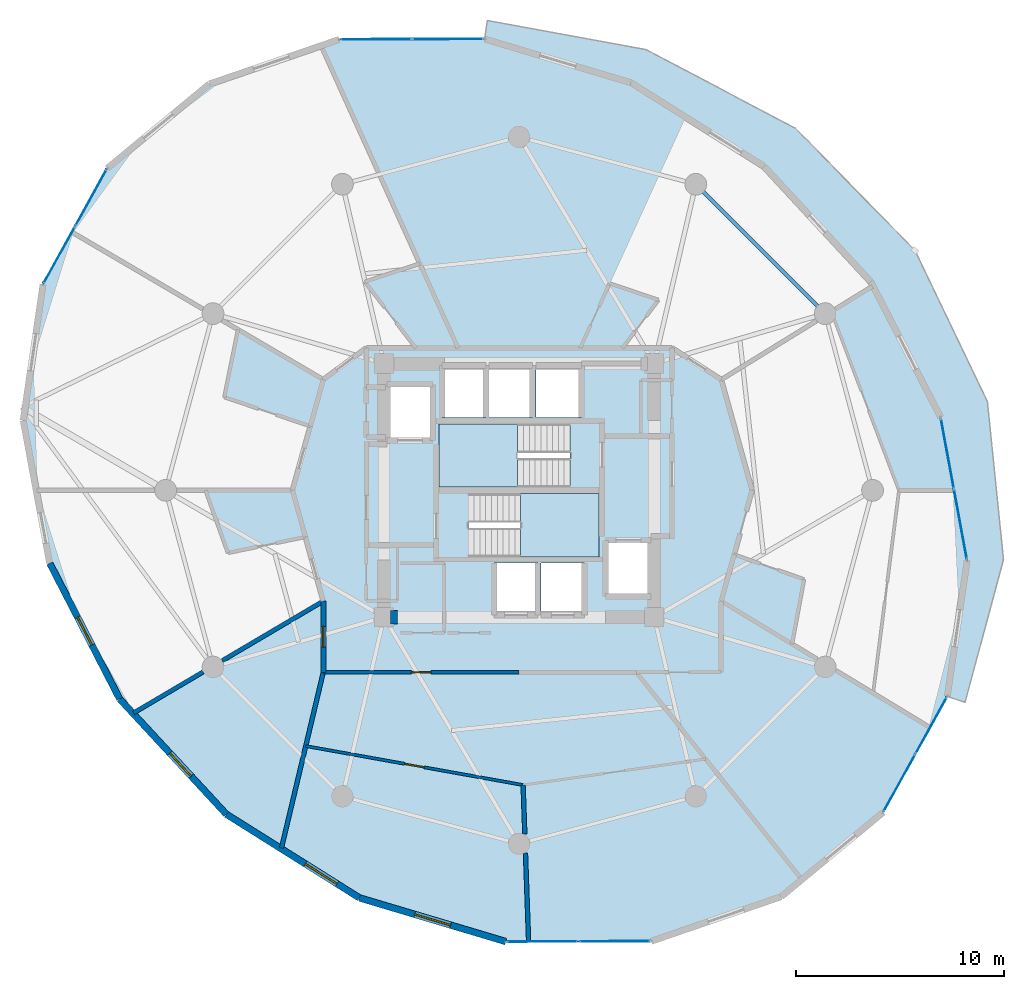
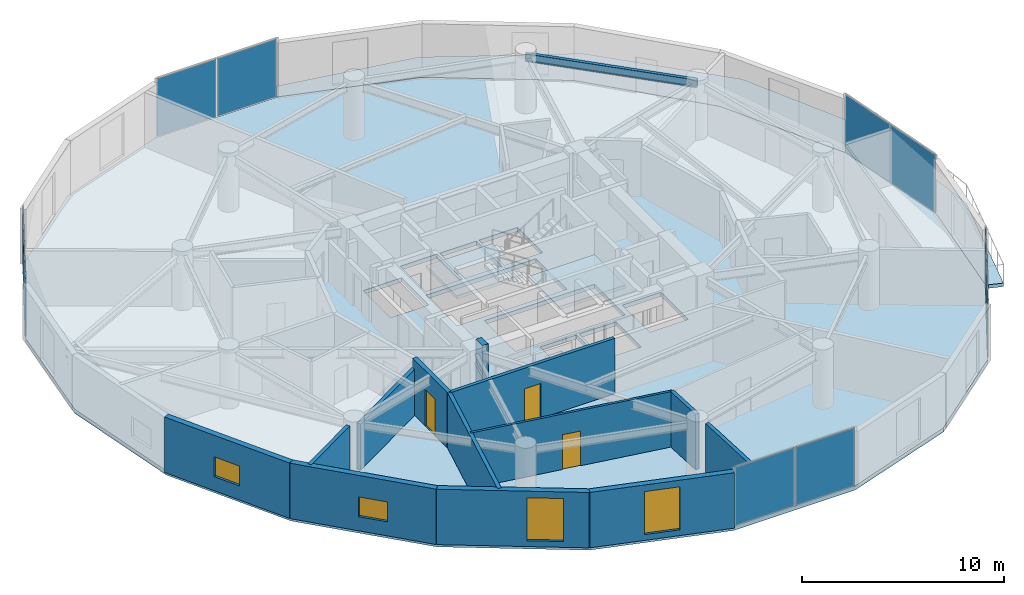
# One storey, part 15 of 21: 13 walls, 10 plates, 4 slabs, 4 windows, 3 doors, 1 beam, 7 openings, 7 elements without a shape of their own.
"""IFC4 building model written with IfcOpenShell, lengths in metres."""

from ifc_helpers import new_model, si_unit, direction, frame, frame_2d, origin, origin_2d, place, context, subcontext, project, spatial, polyline, rectangle, i_section, outline, extrude, source, transform, mapped, material, layer, layer_set, material_profile, profile_set, type_object, element, fill, aggregate, save


model = new_model("IFC4")

# Units and contexts
model_context = context("Model", 3, precision=1e-05, world=origin(), true_north=direction((0.0, 1.0)))
body_context = subcontext(model_context, "Body", "Model", "MODEL_VIEW")
ifc_project = project(units=[si_unit("LENGTHUNIT", "METRE"), si_unit("AREAUNIT", "SQUARE_METRE"), si_unit("VOLUMEUNIT", "CUBIC_METRE"), si_unit("PLANEANGLEUNIT", "RADIAN"), si_unit("MASSUNIT", "GRAM", prefix="KILO")], contexts=[model_context])

# Site, building, storey
site_placement = place(None, origin())
site = spatial("IfcSite", under=ifc_project, at=site_placement, CompositionType="ELEMENT")
building_placement = place(site_placement, origin())
building = spatial("IfcBuilding", under=site, at=building_placement, Name="Solvirekh Grand Hotel", CompositionType="ELEMENT")
storey_placement = place(building_placement, frame((0.0, 0.0, 131.39990234375)))
storey = spatial("IfcBuildingStorey", under=building, at=storey_placement, Name="L33", CompositionType="ELEMENT", Elevation=131.39990234375)

# Beam
ifc_material_1 = material(Name="Steel S355", Category="steel")
ifc_material_profile = material_profile(ifc_material_1, i_section(OverallWidth=0.18994140625, OverallDepth=0.45703125, WebThickness=0.009033203125, FlangeThickness=0.013916015625, FilletRadius=0.012939453125, at=origin_2d()), Name="W460X74")
ifc_profile_set = profile_set([ifc_material_profile], Name="Steel S355")
beam_type = type_object("IfcBeamType", Name="Spandrel_Ring_W460", PredefinedType="SPANDREL", material=ifc_profile_set)
beam_placement = place(storey_placement, frame((14.721923828125, 8.5, 3.1220703125), z_axis=(-0.707106781187, 0.707106781187, 0.0), x_axis=(-0.707106781187, -0.707106781187, 0.0)))
element("IfcBeam", 1, at=beam_placement, inside=storey, type_object=beam_type, Name="L33 perimeter spandrel beam 2", PredefinedType="SPANDREL", context=body_context, shape_type="SweptSolid", body=[
    extrude(i_section(OverallWidth=0.18994140625, OverallDepth=0.45703125, WebThickness=0.009033203125, FlangeThickness=0.013916015625, FilletRadius=0.012939453125, at=origin_2d()), origin(), (0.0, 0.0, 1.0), 8.799072265625),
])

# Slab
ifc_material_2 = material(Name="Concrete C50/60", Category="concrete")
ifc_layer_1 = layer(ifc_material_2, 0.215087890625)
ifc_layer_set_1 = layer_set([ifc_layer_1], Name="Concrete C50/60")
slab_type_1 = type_object("IfcSlabType", Name="ExtCrescentBalc_215", PredefinedType="FLOOR", material=ifc_layer_set_1)
slab_1_placement = place(storey_placement, frame((0.0, 0.0, -0.21484375)))
element("IfcSlab", 2, at=slab_1_placement, inside=storey, type_object=slab_type_1, Name="L33 sweeping crescent balcony slab", PredefinedType="FLOOR", context=body_context, shape_type="SweptSolid", body=[
    extrude(outline(polyline([(21.448974609375, -10.194091796875), (23.298095703125, -3.324951171875), (22.52197265625, 4.282958984375), (19.0400390625, 11.533935546875), (13.2939453125, 17.410888671875), (6.10498046875, 21.198974609375), (-1.528076171875, 22.60009765625), (-1.659912109375, 21.708984375), (5.37890625, 19.60693359375), (11.780029296875, 15.5849609375), (16.9140625, 10.037109375), (20.280029296875, 3.507080078125), (21.549072265625, -3.365966796875), (20.594970703125, -9.909912109375), (21.448974609375, -10.194091796875)])), origin(), (0.0, 0.0, 1.0), 0.21484375),
])

# Stair, slab
ifc_material_3 = material(Name="Concrete C40/50", Category="concrete")
stair_type = type_object("IfcStairType", Name="Stair_Core_1450", PredefinedType="HALF_TURN_STAIR", material=ifc_material_3)
stair_1_placement = place(storey_placement, origin())
stair_1 = element("IfcStair", 3, at=stair_1_placement, inside=storey, type_object=stair_type, Name="L33 Enclosed exit stair ST-1", PredefinedType="HALF_TURN_STAIR")
ifc_layer_2 = layer(ifc_material_3, 0.199951171875)
ifc_layer_set_2 = layer_set([ifc_layer_2], Name="Concrete C40/50")
slab_type_2 = type_object("IfcSlabType", Name="Landing_Stair_200", PredefinedType="LANDING", material=ifc_layer_set_2)
slab_2_placement = place(storey_placement, frame((0.0, 0.0, 1.60009765625)))
slab_2 = element("IfcSlab", 4, at=slab_2_placement, type_object=slab_type_2, Name="ST-1 landing 1", PredefinedType="LANDING", context=body_context, shape_type="SweptSolid", body=[
    extrude(outline(polyline([(0.070068359375, -3.199951171875), (3.85009765625, -3.199951171875), (3.85009765625, -0.14990234375), (0.070068359375, -0.14990234375), (0.070068359375, -3.199951171875)])), origin(), (0.0, 0.0, 1.0), 0.199951171875),
])
aggregate(stair_1, [slab_2])

stair_2_placement = place(storey_placement, origin())
stair_2 = element("IfcStair", 5, at=stair_2_placement, inside=storey, type_object=stair_type, Name="L33 Enclosed exit stair ST-2", PredefinedType="HALF_TURN_STAIR")
slab_3_placement = place(storey_placement, frame((0.0, 0.0, 1.60009765625)))
slab_3 = element("IfcSlab", 6, at=slab_3_placement, type_object=slab_type_2, Name="ST-2 landing 1", PredefinedType="LANDING", context=body_context, shape_type="SweptSolid", body=[
    extrude(outline(polyline([(-0.070068359375, 3.199951171875), (-3.85009765625, 3.199951171875), (-3.85009765625, 0.14990234375), (-0.070068359375, 0.14990234375), (-0.070068359375, 3.199951171875)])), origin(), (0.0, 0.0, 1.0), 0.199951171875),
])
aggregate(stair_2, [slab_3])

# Slab
ifc_layer_3 = layer(ifc_material_2, 0.25)
ifc_layer_set_3 = layer_set([ifc_layer_3], Name="Concrete C50/60")
slab_type_3 = type_object("IfcSlabType", Name="Slab_GuestZ2_250", PredefinedType="FLOOR", material=ifc_layer_set_3)
slab_4_placement = place(storey_placement, frame((0.0, 0.0, -0.25)))
element("IfcSlab", 7, at=slab_4_placement, inside=storey, type_object=slab_type_3, Name="L33 structural floor slab", PredefinedType="FLOOR", context=body_context, shape_type="SweptSolid", body=[
    extrude(outline(polyline([(17.512939453125, -15.48388671875), (20.594970703125, -9.909912109375), (21.549072265625, -3.365966796875), (20.280029296875, 3.507080078125), (16.9140625, 10.037109375), (11.780029296875, 15.5849609375), (5.37890625, 19.60693359375), (-1.659912109375, 21.708984375), (-8.64892578125, 21.68701171875), (-14.904052734375, 19.5419921875), (-19.81298828125, 15.48388671875), (-22.89501953125, 9.909912109375), (-23.84912109375, 3.365966796875), (-22.580078125, -3.507080078125), (-19.214111328125, -10.037109375), (-14.080078125, -15.5849609375), (-7.678955078125, -19.60693359375), (-0.639892578125, -21.708984375), (6.34912109375, -21.68701171875), (12.60400390625, -19.5419921875), (17.512939453125, -15.48388671875)]), holes=[polyline([(-2.444091796875, -0.14990234375), (3.85009765625, -0.14990234375), (3.85009765625, -3.199951171875), (-2.444091796875, -3.199951171875), (-2.444091796875, -0.14990234375)]), polyline([(2.444091796875, 0.14990234375), (-3.85009765625, 0.14990234375), (-3.85009765625, 3.199951171875), (2.444091796875, 3.199951171875), (2.444091796875, 0.14990234375)]), polyline([(-1.199951171875, -3.5), (0.89990234375, -3.5), (0.89990234375, -6.0), (-1.199951171875, -6.0), (-1.199951171875, -3.5)]), polyline([(1.050048828125, -3.5), (3.14990234375, -3.5), (3.14990234375, -6.0), (1.050048828125, -6.0), (1.050048828125, -3.5)]), polyline([(-3.699951171875, 6.0), (-1.60009765625, 6.0), (-1.60009765625, 3.5), (-3.699951171875, 3.5), (-3.699951171875, 6.0)]), polyline([(-1.449951171875, 6.0), (0.64990234375, 6.0), (0.64990234375, 3.5), (-1.449951171875, 3.5), (-1.449951171875, 6.0)]), polyline([(0.800048828125, 6.0), (3.0, 6.0), (3.0, 3.5), (0.800048828125, 3.5), (0.800048828125, 6.0)]), polyline([(-6.35009765625, 5.10009765625), (-4.14990234375, 5.10009765625), (-4.14990234375, 2.39990234375), (-6.35009765625, 2.39990234375), (-6.35009765625, 5.10009765625)]), polyline([(4.14990234375, -2.39990234375), (6.35009765625, -2.39990234375), (6.35009765625, -5.10009765625), (4.14990234375, -5.10009765625), (4.14990234375, -2.39990234375)])]), origin(), (0.0, 0.0, 1.0), 0.25),
])

# Curtain wall, plates
ifc_material_4 = material(Name="Anodized Bronze Aluminium 6063-T6", Category="aluminium")
ifc_layer_4 = layer(ifc_material_4, 0.175048828125)
ifc_layer_set_4 = layer_set([ifc_layer_4], Name="Anodized Bronze Aluminium 6063-T6")
curtain_wall_type = type_object("IfcCurtainWallType", Name="CW_Sys3_MidZoneFlushBronzeCW", PredefinedType="NOTDEFINED", material=ifc_layer_set_4)
curtain_wall_1_placement = place(storey_placement, origin())
curtain_wall_1 = element("IfcCurtainWall", 8, at=curtain_wall_1_placement, inside=storey, type_object=curtain_wall_type, Name="L33 unitised bronze-glass curtain wall CW-L33-C01", PredefinedType="NOTDEFINED")
ifc_material_5 = material(Name="Low-E Tinted Bronze Laminated Glass", Category="aluminium")
ifc_layer_5 = layer(ifc_material_5, 0.035888671875)
ifc_layer_set_5 = layer_set([ifc_layer_5], Name="Low-E Tinted Bronze Laminated Glass")
plate_type = type_object("IfcPlateType", Name="CWPanel_Mid_36", PredefinedType="CURTAIN_PANEL", material=ifc_layer_set_5)
shared_shape_1 = source(origin(), body_context, "Body", "SweptSolid", [
    extrude(rectangle(XDim=3.087158203125, YDim=0.035888671875, at=origin_2d()), origin(), (0.0, 0.0, 1.0), 3.489990234375),
])
plate_1_placement = place(storey_placement, frame((18.291259765625, -14.076171875, 0.05517578125), z_axis=(0.0, 0.0, 1.0), x_axis=(0.48388233209, 0.875133069134, 0.0)))
plate_1 = element("IfcPlate", 9, at=plate_1_placement, type_object=plate_type, Name="U03 panel 1.1", PredefinedType="CURTAIN_PANEL", context=body_context, shape_type="MappedRepresentation", body=[
    mapped(shared_shape_1, transform((0.0, 0.0, 0.0), x_axis=(1.0, 0.0, 0.0), y_axis=(0.0, 1.0, 0.0), z_axis=(0.0, 0.0, 1.0), scale=1.0)),
])
plate_2_placement = place(storey_placement, frame((19.816650390625, -11.317626953125, 0.05517578125), z_axis=(0.0, 0.0, 1.0), x_axis=(0.48388233209, 0.875133069134, 0.0)))
plate_2 = element("IfcPlate", 10, at=plate_2_placement, type_object=plate_type, Name="U03 panel 2.1", PredefinedType="CURTAIN_PANEL", context=body_context, shape_type="MappedRepresentation", body=[
    mapped(shared_shape_1, transform((0.0, 0.0, 0.0), x_axis=(1.0, 0.0, 0.0), y_axis=(0.0, 1.0, 0.0), z_axis=(0.0, 0.0, 1.0), scale=1.0)),
])
aggregate(curtain_wall_1, [plate_1, plate_2])

curtain_wall_2_placement = place(storey_placement, origin())
curtain_wall_2 = element("IfcCurtainWall", 11, at=curtain_wall_2_placement, inside=storey, type_object=curtain_wall_type, Name="L33 unitised bronze-glass curtain wall CW-L33-C11", PredefinedType="NOTDEFINED")
plate_3_placement = place(storey_placement, frame((-20.59130859375, 14.076171875, 0.05517578125), z_axis=(0.0, 0.0, 1.0), x_axis=(-0.48388233209, -0.875133069134, 0.0)))
plate_3 = element("IfcPlate", 12, at=plate_3_placement, type_object=plate_type, Name="U03 panel 1.1", PredefinedType="CURTAIN_PANEL", context=body_context, shape_type="MappedRepresentation", body=[
    mapped(shared_shape_1, transform((0.0, 0.0, 0.0), x_axis=(1.0, 0.0, 0.0), y_axis=(0.0, 1.0, 0.0), z_axis=(0.0, 0.0, 1.0), scale=1.0)),
])
plate_4_placement = place(storey_placement, frame((-22.11669921875, 11.317626953125, 0.05517578125), z_axis=(0.0, 0.0, 1.0), x_axis=(-0.48388233209, -0.875133069134, 0.0)))
plate_4 = element("IfcPlate", 13, at=plate_4_placement, type_object=plate_type, Name="U03 panel 2.1", PredefinedType="CURTAIN_PANEL", context=body_context, shape_type="MappedRepresentation", body=[
    mapped(shared_shape_1, transform((0.0, 0.0, 0.0), x_axis=(1.0, 0.0, 0.0), y_axis=(0.0, 1.0, 0.0), z_axis=(0.0, 0.0, 1.0), scale=1.0)),
])
aggregate(curtain_wall_2, [plate_3, plate_4])

curtain_wall_3_placement = place(storey_placement, origin())
curtain_wall_3 = element("IfcCurtainWall", 14, at=curtain_wall_3_placement, inside=storey, type_object=curtain_wall_type, Name="L33 unitised bronze-glass curtain wall CW-L33-C03", PredefinedType="NOTDEFINED")
shared_shape_2 = source(origin(), body_context, "Body", "SweptSolid", [
    extrude(rectangle(XDim=3.39697265625, YDim=0.035888671875, at=origin_2d()), origin(), (0.0, 0.0, 1.0), 3.489990234375),
])
plate_5_placement = place(storey_placement, frame((21.228759765625, -1.6318359375, 0.05517578125), z_axis=(0.0, 0.0, 1.0), x_axis=(-0.181566637342, 0.983378643354, 0.0)))
plate_5 = element("IfcPlate", 15, at=plate_5_placement, type_object=plate_type, Name="U03 panel 1.1", PredefinedType="CURTAIN_PANEL", context=body_context, shape_type="MappedRepresentation", body=[
    mapped(shared_shape_2, transform((0.0, 0.0, 0.0), x_axis=(1.0, 0.0, 0.0), y_axis=(0.0, 1.0, 0.0), z_axis=(0.0, 0.0, 1.0), scale=1.0)),
])
plate_6_placement = place(storey_placement, frame((20.60009765625, 1.772705078125, 0.05517578125), z_axis=(0.0, 0.0, 1.0), x_axis=(-0.181566637342, 0.983378643354, 0.0)))
plate_6 = element("IfcPlate", 16, at=plate_6_placement, type_object=plate_type, Name="U03 panel 2.1", PredefinedType="CURTAIN_PANEL", context=body_context, shape_type="MappedRepresentation", body=[
    mapped(shared_shape_2, transform((0.0, 0.0, 0.0), x_axis=(1.0, 0.0, 0.0), y_axis=(0.0, 1.0, 0.0), z_axis=(0.0, 0.0, 1.0), scale=1.0)),
])
aggregate(curtain_wall_3, [plate_5, plate_6])

curtain_wall_4_placement = place(storey_placement, origin())
curtain_wall_4 = element("IfcCurtainWall", 17, at=curtain_wall_4_placement, inside=storey, type_object=curtain_wall_type, Name="L33 unitised bronze-glass curtain wall CW-L33-C08", PredefinedType="NOTDEFINED")
plate_7_placement = place(storey_placement, frame((-3.423583984375, 21.703369140625, 0.05517578125), z_axis=(0.0, 0.0, 1.0), x_axis=(-0.999995045703, -0.003147788104, 0.0)))
plate_7 = element("IfcPlate", 18, at=plate_7_placement, type_object=plate_type, Name="U03 panel 1.1", PredefinedType="CURTAIN_PANEL", context=body_context, shape_type="MappedRepresentation", body=[
    mapped(shared_shape_2, transform((0.0, 0.0, 0.0), x_axis=(1.0, 0.0, 0.0), y_axis=(0.0, 1.0, 0.0), z_axis=(0.0, 0.0, 1.0), scale=1.0)),
])
plate_8_placement = place(storey_placement, frame((-6.885498046875, 21.692626953125, 0.05517578125), z_axis=(0.0, 0.0, 1.0), x_axis=(-0.999995045703, -0.003147788104, 0.0)))
plate_8 = element("IfcPlate", 19, at=plate_8_placement, type_object=plate_type, Name="U03 panel 2.1", PredefinedType="CURTAIN_PANEL", context=body_context, shape_type="MappedRepresentation", body=[
    mapped(shared_shape_2, transform((0.0, 0.0, 0.0), x_axis=(1.0, 0.0, 0.0), y_axis=(0.0, 1.0, 0.0), z_axis=(0.0, 0.0, 1.0), scale=1.0)),
])
aggregate(curtain_wall_4, [plate_7, plate_8])

curtain_wall_5_placement = place(storey_placement, origin())
curtain_wall_5 = element("IfcCurtainWall", 20, at=curtain_wall_5_placement, inside=storey, type_object=curtain_wall_type, Name="L33 unitised bronze-glass curtain wall CW-L33-C18", PredefinedType="NOTDEFINED")
plate_9_placement = place(storey_placement, frame((1.12353515625, -21.703369140625, 0.05517578125), z_axis=(0.0, 0.0, 1.0), x_axis=(0.999995045703, 0.003147788104, 0.0)))
plate_9 = element("IfcPlate", 21, at=plate_9_placement, type_object=plate_type, Name="U03 panel 1.1", PredefinedType="CURTAIN_PANEL", context=body_context, shape_type="MappedRepresentation", body=[
    mapped(shared_shape_2, transform((0.0, 0.0, 0.0), x_axis=(1.0, 0.0, 0.0), y_axis=(0.0, 1.0, 0.0), z_axis=(0.0, 0.0, 1.0), scale=1.0)),
])
plate_10_placement = place(storey_placement, frame((4.58544921875, -21.692626953125, 0.05517578125), z_axis=(0.0, 0.0, 1.0), x_axis=(0.999995045703, 0.003147788104, 0.0)))
plate_10 = element("IfcPlate", 22, at=plate_10_placement, type_object=plate_type, Name="U03 panel 2.1", PredefinedType="CURTAIN_PANEL", context=body_context, shape_type="MappedRepresentation", body=[
    mapped(shared_shape_2, transform((0.0, 0.0, 0.0), x_axis=(1.0, 0.0, 0.0), y_axis=(0.0, 1.0, 0.0), z_axis=(0.0, 0.0, 1.0), scale=1.0)),
])
aggregate(curtain_wall_5, [plate_9, plate_10])

# Wall
ifc_layer_6 = layer(ifc_material_2, 0.64990234375)
ifc_layer_set_6 = layer_set([ifc_layer_6], Name="Concrete C50/60")
wall_type_1 = type_object("IfcWallType", Name="CoreWall_RC650", PredefinedType="SHEAR", material=ifc_layer_set_6)
wall_1_placement = place(storey_placement, frame((-6.175048828125, -6.10009765625, 0.0), z_axis=(0.0, 0.0, 1.0), x_axis=(1.0, 0.0, 0.0)))
element("IfcWall", 23, at=wall_1_placement, inside=storey, type_object=wall_type_1, Name="L33 core corner shear wall SW-S", PredefinedType="SHEAR", context=body_context, shape_type="SweptSolid", body=[
    extrude(rectangle(XDim=0.324951171875, YDim=0.64990234375, at=frame_2d((0.16259765625, 0.0))), origin(), (0.0, 0.0, 1.0), 3.60009765625),
])

# Wall, opening, window
ifc_material_6 = material(Name="Precast concrete C45/55", Category="concrete")
ifc_layer_7 = layer(ifc_material_6, 0.320068359375)
ifc_layer_set_7 = layer_set([ifc_layer_7], Name="Precast concrete C45/55")
wall_type_2 = type_object("IfcWallType", Name="ExtLobbyWall_RC320", PredefinedType="SOLIDWALL", material=ifc_layer_set_7)
wall_2_placement = place(storey_placement, frame((-19.214111328125, -10.037109375, 0.0), z_axis=(0.0, 0.0, 1.0), x_axis=(-0.458173043938, 0.888863016335, 0.0)))
wall_2 = element("IfcWall", 24, at=wall_2_placement, inside=storey, type_object=wall_type_2, Name="L33 cantilevered deck support wall chord 14", PredefinedType="SOLIDWALL", context=body_context, shape_type="SweptSolid", body=[
    extrude(rectangle(XDim=7.346435546875, YDim=0.320068359375, at=frame_2d((3.67333984375, 0.0))), origin(), (0.0, 0.0, 1.0), 3.35009765625),
])
opening_1_placement = place(wall_2_placement, frame((2.923095703125, 0.0, 0.85009765625)))
opening_1 = element("IfcOpeningElement", 25, at=opening_1_placement, cuts=wall_2, Name="Opening W05", PredefinedType="OPENING", context=body_context, shape_type="SweptSolid", body=[
    extrude(rectangle(XDim=1.5, YDim=1.199951171875, at=frame_2d((0.75, 0.60009765625))), frame((0.0, 0.169921875, 0.0), z_axis=(0.0, -1.0, 0.0), x_axis=(1.0, 0.0, 0.0)), (0.0, 0.0, 1.0), 0.340087890625),
])
window_type_1 = type_object("IfcWindowType", Name="Win_PlantVent_1500X1200", PartitioningType="SINGLE_PANEL", PredefinedType="WINDOW", material=ifc_material_5)
window_1_placement = place(opening_1_placement, origin())
window_1 = element("IfcWindow", 26, at=window_1_placement, inside=storey, type_object=window_type_1, Name="L33 bronze-framed vision ribbon window 14", OverallHeight=1.199951171875, OverallWidth=1.5, PartitioningType="SINGLE_PANEL", PredefinedType="WINDOW", context=body_context, shape_type="SweptSolid", body=[
    extrude(rectangle(XDim=1.5, YDim=1.199951171875, at=frame_2d((0.75, 0.60009765625))), frame((0.0, 0.030029296875, 0.0), z_axis=(0.0, -1.0, 0.0), x_axis=(1.0, 0.0, 0.0)), (0.0, 0.0, 1.0), 0.06005859375),
])
fill(opening_1, window_1)

wall_3_placement = place(storey_placement, frame((-14.080078125, -15.5849609375, 0.0), z_axis=(0.0, 0.0, 1.0), x_axis=(-0.679203838045, 0.733949689274, 0.0)))
wall_3 = element("IfcWall", 27, at=wall_3_placement, inside=storey, type_object=wall_type_2, Name="L33 cantilevered deck support wall chord 15", PredefinedType="SOLIDWALL", context=body_context, shape_type="SweptSolid", body=[
    extrude(rectangle(XDim=7.558837890625, YDim=0.320068359375, at=frame_2d((3.779296875, 0.0))), origin(), (0.0, 0.0, 1.0), 3.35009765625),
])
opening_2_placement = place(wall_3_placement, frame((2.506103515625, 0.0, 0.85009765625)))
opening_2 = element("IfcOpeningElement", 28, at=opening_2_placement, cuts=wall_3, Name="Opening W05", PredefinedType="OPENING", context=body_context, shape_type="SweptSolid", body=[
    extrude(rectangle(XDim=1.5, YDim=1.199951171875, at=frame_2d((0.75, 0.60009765625))), frame((0.0, 0.169921875, 0.0), z_axis=(0.0, -1.0, 0.0), x_axis=(1.0, 0.0, 0.0)), (0.0, 0.0, 1.0), 0.340087890625),
])
window_2_placement = place(opening_2_placement, origin())
window_2 = element("IfcWindow", 29, at=window_2_placement, inside=storey, type_object=window_type_1, Name="L33 bronze-framed vision ribbon window 15", OverallHeight=1.199951171875, OverallWidth=1.5, PartitioningType="SINGLE_PANEL", PredefinedType="WINDOW", context=body_context, shape_type="SweptSolid", body=[
    extrude(rectangle(XDim=1.5, YDim=1.199951171875, at=frame_2d((0.75, 0.60009765625))), frame((0.0, 0.030029296875, 0.0), z_axis=(0.0, -1.0, 0.0), x_axis=(1.0, 0.0, 0.0)), (0.0, 0.0, 1.0), 0.06005859375),
])
fill(opening_2, window_2)

wall_4_placement = place(storey_placement, frame((-7.678955078125, -19.60693359375, 0.0), z_axis=(0.0, 0.0, 1.0), x_axis=(-0.84673132195, 0.5320207406, 0.0)))
wall_4 = element("IfcWall", 30, at=wall_4_placement, inside=storey, type_object=wall_type_2, Name="L33 exterior structural wall chord 16", PredefinedType="SOLIDWALL", context=body_context, shape_type="SweptSolid", body=[
    extrude(rectangle(XDim=7.559814453125, YDim=0.320068359375, at=frame_2d((3.77978515625, 0.0))), origin(), (0.0, 0.0, 1.0), 3.35009765625),
])
opening_3_placement = place(wall_4_placement, frame((1.278076171875, 0.0, 0.35009765625)))
opening_3 = element("IfcOpeningElement", 31, at=opening_3_placement, cuts=wall_4, Name="Opening W02", PredefinedType="OPENING", context=body_context, shape_type="SweptSolid", body=[
    extrude(rectangle(XDim=1.800048828125, YDim=2.60009765625, at=frame_2d((0.89990234375, 1.300048828125))), frame((0.0, 0.169921875, 0.0), z_axis=(0.0, -1.0, 0.0), x_axis=(1.0, 0.0, 0.0)), (0.0, 0.0, 1.0), 0.340087890625),
])
window_type_2 = type_object("IfcWindowType", Name="Win_LobbyExt_1800X2600", PartitioningType="SINGLE_PANEL", PredefinedType="WINDOW", material=ifc_material_5)
window_3_placement = place(opening_3_placement, origin())
window_3 = element("IfcWindow", 32, at=window_3_placement, inside=storey, type_object=window_type_2, Name="L33 panoramic bronze-framed window 16", OverallHeight=2.60009765625, OverallWidth=1.800048828125, PartitioningType="SINGLE_PANEL", PredefinedType="WINDOW", context=body_context, shape_type="SweptSolid", body=[
    extrude(rectangle(XDim=1.800048828125, YDim=2.60009765625, at=frame_2d((0.89990234375, 1.300048828125))), frame((0.0, 0.030029296875, 0.0), z_axis=(0.0, -1.0, 0.0), x_axis=(1.0, 0.0, 0.0)), (0.0, 0.0, 1.0), 0.06005859375),
])
fill(opening_3, window_3)

wall_5_placement = place(storey_placement, frame((-0.639892578125, -21.708984375, 0.0), z_axis=(0.0, 0.0, 1.0), x_axis=(-0.958187738701, 0.286140275743, 0.0)))
wall_5 = element("IfcWall", 33, at=wall_5_placement, inside=storey, type_object=wall_type_2, Name="L33 exterior structural wall chord 17", PredefinedType="SOLIDWALL", context=body_context, shape_type="SweptSolid", body=[
    extrude(rectangle(XDim=7.34619140625, YDim=0.320068359375, at=frame_2d((3.673095703125, 0.0))), origin(), (0.0, 0.0, 1.0), 3.35009765625),
])
opening_4_placement = place(wall_5_placement, frame((2.77294921875, 0.0, 0.35009765625)))
opening_4 = element("IfcOpeningElement", 34, at=opening_4_placement, cuts=wall_5, Name="Opening W02", PredefinedType="OPENING", context=body_context, shape_type="SweptSolid", body=[
    extrude(rectangle(XDim=1.800048828125, YDim=2.60009765625, at=frame_2d((0.89990234375, 1.300048828125))), frame((0.0, 0.169921875, 0.0), z_axis=(0.0, -1.0, 0.0), x_axis=(1.0, 0.0, 0.0)), (0.0, 0.0, 1.0), 0.340087890625),
])
window_4_placement = place(opening_4_placement, origin())
window_4 = element("IfcWindow", 35, at=window_4_placement, inside=storey, type_object=window_type_2, Name="L33 panoramic bronze-framed window 17", OverallHeight=2.60009765625, OverallWidth=1.800048828125, PartitioningType="SINGLE_PANEL", PredefinedType="WINDOW", context=body_context, shape_type="SweptSolid", body=[
    extrude(rectangle(XDim=1.800048828125, YDim=2.60009765625, at=frame_2d((0.89990234375, 1.300048828125))), frame((0.0, 0.030029296875, 0.0), z_axis=(0.0, -1.0, 0.0), x_axis=(1.0, 0.0, 0.0)), (0.0, 0.0, 1.0), 0.06005859375),
])
fill(opening_4, window_4)

# Wall, opening, door
ifc_material_7 = material(Name="Acoustic Gypsum Partition Assembly")
ifc_layer_8 = layer(ifc_material_7, 0.239990234375)
ifc_layer_set_8 = layer_set([ifc_layer_8], Name="Acoustic Gypsum Partition Assembly")
wall_type_3 = type_object("IfcWallType", Name="Part_Corridor_240", PredefinedType="PARTITIONING", material=ifc_layer_set_8)
wall_6_placement = place(storey_placement, frame((-9.419921875, -5.324951171875, 0.0), z_axis=(0.0, 0.0, 1.0), x_axis=(0.0, -1.0, 0.0)))
wall_6 = element("IfcWall", 36, at=wall_6_placement, inside=storey, type_object=wall_type_3, Name="L33 L33 South-West Study Lounge entrance wall", PredefinedType="PARTITIONING", context=body_context, shape_type="SweptSolid", body=[
    extrude(rectangle(XDim=3.425048828125, YDim=0.239990234375, at=frame_2d((1.71240234375, 0.0))), origin(), (0.0, 0.0, 1.0), 3.35009765625),
])
opening_5_placement = place(wall_6_placement, frame((1.2119140625, 0.0, 0.0)))
opening_5 = element("IfcOpeningElement", 37, at=opening_5_placement, cuts=wall_6, Name="Opening D07", PredefinedType="OPENING", context=body_context, shape_type="SweptSolid", body=[
    extrude(rectangle(XDim=1.0, YDim=2.199951171875, at=frame_2d((0.5, 1.10009765625))), frame((0.0, 0.1298828125, 0.0), z_axis=(0.0, -1.0, 0.0), x_axis=(1.0, 0.0, 0.0)), (0.0, 0.0, 1.0), 0.260009765625),
])
ifc_material_8 = material(Name="Fire-Rated Steel Door Assembly", Category="steel")
door_type_1 = type_object("IfcDoorType", Name="Door_GuestEntry_1000X2200", OperationType="NOTDEFINED", PredefinedType="DOOR", material=ifc_material_8)
door_1_placement = place(opening_5_placement, origin())
door_1 = element("IfcDoor", 38, at=door_1_placement, inside=storey, type_object=door_type_1, Name="L33 L33 South-West Study Lounge entrance door", OperationType="SINGLE_SWING_RIGHT", OverallHeight=2.199951171875, OverallWidth=1.0, PredefinedType="DOOR", context=body_context, shape_type="SweptSolid", body=[
    extrude(rectangle(XDim=1.0, YDim=2.199951171875, at=frame_2d((0.5, 1.10009765625))), frame((0.0, 0.02490234375, 0.0), z_axis=(0.0, -1.0, 0.0), x_axis=(1.0, 0.0, 0.0)), (0.0, 0.0, 1.0), 0.050048828125),
])
fill(opening_5, door_1)

ifc_layer_9 = layer(ifc_material_7, 0.18994140625)
ifc_layer_set_9 = layer_set([ifc_layer_9], Name="Acoustic Gypsum Partition Assembly")
wall_type_4 = type_object("IfcWallType", Name="Part_GuestDemise_190", PredefinedType="PARTITIONING", material=ifc_layer_set_9)
wall_7_placement = place(storey_placement, frame((-9.419921875, -8.75, 0.0), z_axis=(0.0, 0.0, 1.0), x_axis=(1.0, 0.0, 0.0)))
wall_7 = element("IfcWall", 39, at=wall_7_placement, inside=storey, type_object=wall_type_4, Name="L33 L33 Private Media Lounge entrance wall", PredefinedType="PARTITIONING", context=body_context, shape_type="SweptSolid", body=[
    extrude(rectangle(XDim=9.419921875, YDim=0.18994140625, at=frame_2d((4.7099609375, 0.0))), origin(), (0.0, 0.0, 1.0), 3.35009765625),
])
opening_6_placement = place(wall_7_placement, frame((4.235107421875, 0.0, 0.0)))
opening_6 = element("IfcOpeningElement", 40, at=opening_6_placement, cuts=wall_7, Name="Opening D10", PredefinedType="OPENING", context=body_context, shape_type="SweptSolid", body=[
    extrude(rectangle(XDim=0.949951171875, YDim=2.10009765625, at=frame_2d((0.47509765625, 1.050048828125))), frame((0.0, 0.10498046875, 0.0), z_axis=(0.0, -1.0, 0.0), x_axis=(1.0, 0.0, 0.0)), (0.0, 0.0, 1.0), 0.2099609375),
])
door_type_2 = type_object("IfcDoorType", Name="Door_RoomInt_950X2100", OperationType="NOTDEFINED", PredefinedType="DOOR", material=ifc_material_4)
door_2_placement = place(opening_6_placement, origin())
door_2 = element("IfcDoor", 41, at=door_2_placement, inside=storey, type_object=door_type_2, Name="L33 L33 Private Media Lounge entrance door", OperationType="SINGLE_SWING_LEFT", OverallHeight=2.10009765625, OverallWidth=0.949951171875, PredefinedType="DOOR", context=body_context, shape_type="SweptSolid", body=[
    extrude(rectangle(XDim=0.949951171875, YDim=2.10009765625, at=frame_2d((0.47509765625, 1.050048828125))), frame((0.0, 0.02490234375, 0.0), z_axis=(0.0, -1.0, 0.0), x_axis=(1.0, 0.0, 0.0)), (0.0, 0.0, 1.0), 0.050048828125),
])
fill(opening_6, door_2)

ifc_layer_10 = layer(ifc_material_7, 0.135009765625)
ifc_layer_set_10 = layer_set([ifc_layer_10], Name="Acoustic Gypsum Partition Assembly")
wall_type_5 = type_object("IfcWallType", Name="Part_RoomInt_135", PredefinedType="PARTITIONING", material=ifc_layer_set_10)
wall_8_placement = place(storey_placement, frame((-10.263916015625, -12.300048828125, 0.0), z_axis=(0.0, 0.0, 1.0), x_axis=(0.984295895502, -0.176526457218, 0.0)))
wall_8 = element("IfcWall", 42, at=wall_8_placement, inside=storey, type_object=wall_type_5, Name="L33 L33 South Horizon Conservatory bedroom screen wall", PredefinedType="PARTITIONING", context=body_context, shape_type="SweptSolid", body=[
    extrude(rectangle(XDim=10.62158203125, YDim=0.135009765625, at=frame_2d((5.310791015625, 0.0))), origin(), (0.0, 0.0, 1.0), 3.35009765625),
])
opening_7_placement = place(wall_8_placement, frame((4.8359375, 0.0, 0.0)))
opening_7 = element("IfcOpeningElement", 43, at=opening_7_placement, cuts=wall_8, Name="Opening D10", PredefinedType="OPENING", context=body_context, shape_type="SweptSolid", body=[
    extrude(rectangle(XDim=0.949951171875, YDim=2.10009765625, at=frame_2d((0.47509765625, 1.050048828125))), frame((0.0, 0.07763671875, 0.0), z_axis=(0.0, -1.0, 0.0), x_axis=(1.0, 0.0, 0.0)), (0.0, 0.0, 1.0), 0.155029296875),
])
door_3_placement = place(opening_7_placement, origin())
door_3 = element("IfcDoor", 44, at=door_3_placement, inside=storey, type_object=door_type_2, Name="L33 L33 South Horizon Conservatory master bedroom door", OperationType="SINGLE_SWING_LEFT", OverallHeight=2.10009765625, OverallWidth=0.949951171875, PredefinedType="DOOR", context=body_context, shape_type="SweptSolid", body=[
    extrude(rectangle(XDim=0.949951171875, YDim=2.10009765625, at=frame_2d((0.47509765625, 1.050048828125))), frame((0.0, 0.02490234375, 0.0), z_axis=(0.0, -1.0, 0.0), x_axis=(1.0, 0.0, 0.0)), (0.0, 0.0, 1.0), 0.050048828125),
])
fill(opening_7, door_3)

# Walls
ifc_layer_11 = layer(ifc_material_7, 0.2099609375)
ifc_layer_set_11 = layer_set([ifc_layer_11], Name="Acoustic Gypsum Partition Assembly")
wall_type_6 = type_object("IfcWallType", Name="Part_SuiteDemise_210", PredefinedType="PARTITIONING", material=ifc_layer_set_11)
wall_9_placement = place(storey_placement, frame((-9.419921875, -5.324951171875, 0.0), z_axis=(0.0, 0.0, 1.0), x_axis=(-0.861378052692, -0.507964418381, 0.0)))
element("IfcWall", 45, at=wall_9_placement, inside=storey, type_object=wall_type_6, Name="L33 suite radial wall 8 (A)", PredefinedType="PARTITIONING", context=body_context, shape_type="SweptSolid", body=[
    extrude(rectangle(XDim=5.63623046875, YDim=0.2099609375, at=frame_2d((2.818115234375, 0.0))), origin(), (0.0, 0.0, 1.0), 2.791015625),
])
wall_10_placement = place(storey_placement, frame((-15.2109375, -8.739990234375, 0.0), z_axis=(0.0, 0.0, 1.0), x_axis=(-0.861295778751, -0.508103908177, 0.0)))
element("IfcWall", 46, at=wall_10_placement, inside=storey, type_object=wall_type_6, Name="L33 suite radial wall 8 (B)", PredefinedType="PARTITIONING", context=body_context, shape_type="SweptSolid", body=[
    extrude(rectangle(XDim=3.867431640625, YDim=0.2099609375, at=frame_2d((1.93359375, 0.0))), origin(), (0.0, 0.0, 1.0), 3.35009765625),
])
wall_11_placement = place(storey_placement, frame((-9.419921875, -8.75, 0.0), z_axis=(0.0, 0.0, 1.0), x_axis=(-0.231339406626, -0.972873105262, 0.0)))
element("IfcWall", 47, at=wall_11_placement, inside=storey, type_object=wall_type_6, Name="L33 L33 Private Media Lounge dividing partition 2", PredefinedType="PARTITIONING", context=body_context, shape_type="SweptSolid", body=[
    extrude(rectangle(XDim=8.6884765625, YDim=0.2099609375, at=frame_2d((4.34423828125, 0.0))), origin(), (0.0, 0.0, 1.0), 3.35009765625),
])
wall_12_placement = place(storey_placement, frame((0.19091796875, -14.175048828125, 0.0), z_axis=(0.0, 0.0, 1.0), x_axis=(0.035240490846, -0.999378860996, 0.0)))
element("IfcWall", 48, at=wall_12_placement, inside=storey, type_object=wall_type_6, Name="L33 L33 South Horizon Conservatory dividing partition 1 (A)", PredefinedType="PARTITIONING", context=body_context, shape_type="SweptSolid", body=[
    extrude(rectangle(XDim=2.35546875, YDim=0.2099609375, at=frame_2d((1.177734375, 0.0))), origin(), (0.0, 0.0, 1.0), 3.35009765625),
])
wall_13_placement = place(storey_placement, frame((0.305908203125, -17.450927734375, 0.0), z_axis=(0.0, 0.0, 1.0), x_axis=(0.035136125061, -0.999382535727, 0.0)))
element("IfcWall", 49, at=wall_13_placement, inside=storey, type_object=wall_type_6, Name="L33 L33 South Horizon Conservatory dividing partition 1 (B)", PredefinedType="PARTITIONING", context=body_context, shape_type="SweptSolid", body=[
    extrude(rectangle(XDim=4.2177734375, YDim=0.2099609375, at=frame_2d((2.10888671875, 0.0))), origin(), (0.0, 0.0, 1.0), 3.35009765625),
])

save(model, "model.ifc")
